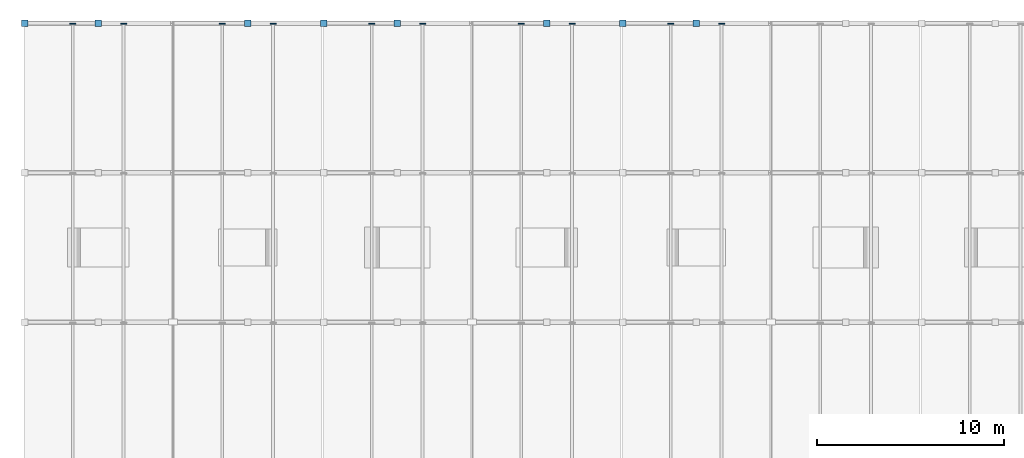
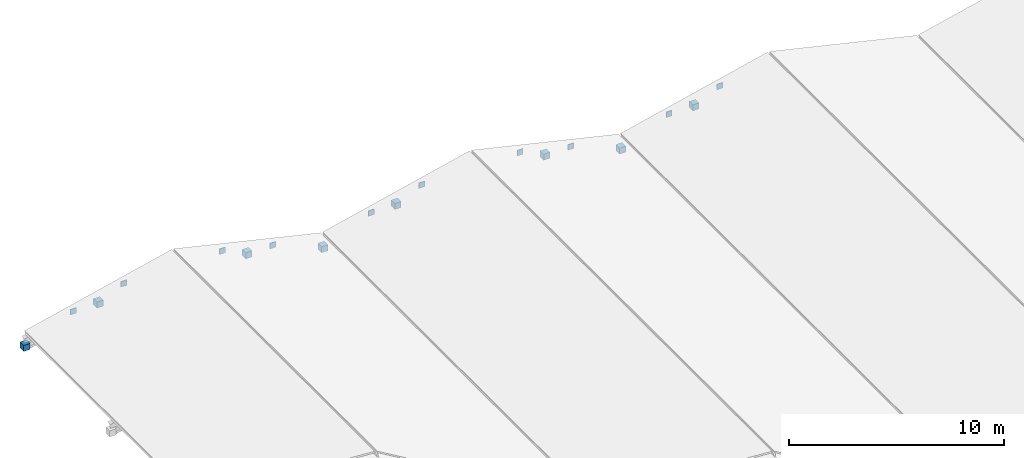
# One storey, part 55 of 67: 18 discrete accessories.
"""IFC4 building model written with IfcOpenShell, lengths in metres."""

from ifc_helpers import new_model, si_unit, direction, frame, origin, origin_2d, place, context, subcontext, project, spatial, rectangle, extrude, material, type_object, element, save


model = new_model("IFC4")

# Units and contexts
model_context = context("Model", 3, precision=1e-05, world=origin(), true_north=direction((0.0, 1.0)))
body_context = subcontext(model_context, "Body", "Model", "MODEL_VIEW")
ifc_project = project(units=[si_unit("LENGTHUNIT", "METRE"), si_unit("AREAUNIT", "SQUARE_METRE"), si_unit("VOLUMEUNIT", "CUBIC_METRE"), si_unit("PLANEANGLEUNIT", "RADIAN"), si_unit("MASSUNIT", "GRAM", prefix="KILO")], contexts=[model_context])

# Site, building, storey
site_placement = place(None, origin())
site = spatial("IfcSite", under=ifc_project, at=site_placement, CompositionType="ELEMENT")
building_placement = place(site_placement, origin())
building = spatial("IfcBuilding", under=site, at=building_placement, Name="Drelvath Fold Interchange", CompositionType="ELEMENT")
storey_placement = place(building_placement, frame((0.0, 0.0, 15.60009765625)))
storey = spatial("IfcBuildingStorey", under=building, at=storey_placement, Name="L03", CompositionType="ELEMENT", Elevation=15.60009765625)

# Discrete accessories
ifc_material = material(Name="Steel ASTM A572 Grade 50", Category="steel")
discrete_accessory_type = type_object("IfcDiscreteAccessoryType", Name="AC-CAP380", PredefinedType="BRACKET", material=ifc_material)
for number, where, z_axis, x_axis, name in (
    (1, (4.074951171875, 99.0, -0.42236328125), (0.0, 0.0, 1.0), (1.0, 0.0, 0.0), "Welded hollow member end cap 302"),
    (2, (8.0048828125, 99.0, 0.654296875), (0.0, 0.0, 1.0), (1.0, 0.0, 0.0), "Welded hollow member end cap 303"),
):
    element("IfcDiscreteAccessory", number, at=place(storey_placement, frame(where, z_axis=z_axis, x_axis=x_axis)), inside=storey, type_object=discrete_accessory_type, Name=name, PredefinedType="BRACKET", context=body_context, shape_type="SweptSolid", body=[
        extrude(rectangle(XDim=0.343017578125, YDim=0.343017578125, at=origin_2d()), origin(), (0.0, 0.0, 1.0), 0.343017578125),
    ])
for number, where, z_axis, x_axis, name in (
    (3, (6.639892578125, 98.965087890625, 0.6708984375), (0.0, 0.0, 1.0), (1.0, 0.0, 0.0), "Welded hollow member end cap 308"),
    (4, (9.360107421875, 98.965087890625, 1.2998046875), (0.0, 0.0, 1.0), (1.0, 0.0, 0.0), "Welded hollow member end cap 313"),
):
    element("IfcDiscreteAccessory", number, at=place(storey_placement, frame(where, z_axis=z_axis, x_axis=x_axis)), inside=storey, type_object=discrete_accessory_type, Name=name, PredefinedType="BRACKET", context=body_context, shape_type="SweptSolid", body=[
        extrude(rectangle(XDim=0.31396484375, YDim=0.0400390625, at=origin_2d()), origin(), (0.0, 0.0, 1.0), 0.31396484375),
    ])
discrete_accessory_1_placement = place(storey_placement, frame((16.0048828125, 99.0, 0.654296875), z_axis=(0.0, 0.0, 1.0), x_axis=(1.0, 0.0, 0.0)))
element("IfcDiscreteAccessory", 5, at=discrete_accessory_1_placement, inside=storey, type_object=discrete_accessory_type, Name="Welded hollow member end cap 323", PredefinedType="BRACKET", context=body_context, shape_type="SweptSolid", body=[
    extrude(rectangle(XDim=0.343017578125, YDim=0.343017578125, at=origin_2d()), origin(), (0.0, 0.0, 1.0), 0.343017578125),
])
for number, where, z_axis, x_axis, name in (
    (6, (14.639892578125, 98.965087890625, 1.2998046875), (0.0, 0.0, 1.0), (1.0, 0.0, 0.0), "Welded hollow member end cap 328"),
    (7, (17.360107421875, 98.965087890625, 0.6708984375), (0.0, 0.0, 1.0), (1.0, 0.0, 0.0), "Welded hollow member end cap 333"),
):
    element("IfcDiscreteAccessory", number, at=place(storey_placement, frame(where, z_axis=z_axis, x_axis=x_axis)), inside=storey, type_object=discrete_accessory_type, Name=name, PredefinedType="BRACKET", context=body_context, shape_type="SweptSolid", body=[
        extrude(rectangle(XDim=0.31396484375, YDim=0.0400390625, at=origin_2d()), origin(), (0.0, 0.0, 1.0), 0.31396484375),
    ])
for number, where, z_axis, x_axis, name in (
    (8, (20.074951171875, 99.0, -0.42236328125), (0.0, 0.0, 1.0), (1.0, 0.0, 0.0), "Welded hollow member end cap 347"),
    (9, (24.0048828125, 99.0, 0.654296875), (0.0, 0.0, 1.0), (1.0, 0.0, 0.0), "Welded hollow member end cap 348"),
):
    element("IfcDiscreteAccessory", number, at=place(storey_placement, frame(where, z_axis=z_axis, x_axis=x_axis)), inside=storey, type_object=discrete_accessory_type, Name=name, PredefinedType="BRACKET", context=body_context, shape_type="SweptSolid", body=[
        extrude(rectangle(XDim=0.343017578125, YDim=0.343017578125, at=origin_2d()), origin(), (0.0, 0.0, 1.0), 0.343017578125),
    ])
for number, where, z_axis, x_axis, name in (
    (10, (22.639892578125, 98.965087890625, 0.6708984375), (0.0, 0.0, 1.0), (1.0, 0.0, 0.0), "Welded hollow member end cap 353"),
    (11, (25.360107421875, 98.965087890625, 1.2998046875), (0.0, 0.0, 1.0), (1.0, 0.0, 0.0), "Welded hollow member end cap 358"),
):
    element("IfcDiscreteAccessory", number, at=place(storey_placement, frame(where, z_axis=z_axis, x_axis=x_axis)), inside=storey, type_object=discrete_accessory_type, Name=name, PredefinedType="BRACKET", context=body_context, shape_type="SweptSolid", body=[
        extrude(rectangle(XDim=0.31396484375, YDim=0.0400390625, at=origin_2d()), origin(), (0.0, 0.0, 1.0), 0.31396484375),
    ])
discrete_accessory_2_placement = place(storey_placement, frame((32.0048828125, 99.0, 0.654296875), z_axis=(0.0, 0.0, 1.0), x_axis=(1.0, 0.0, 0.0)))
element("IfcDiscreteAccessory", 12, at=discrete_accessory_2_placement, inside=storey, type_object=discrete_accessory_type, Name="Welded hollow member end cap 368", PredefinedType="BRACKET", context=body_context, shape_type="SweptSolid", body=[
    extrude(rectangle(XDim=0.343017578125, YDim=0.343017578125, at=origin_2d()), origin(), (0.0, 0.0, 1.0), 0.343017578125),
])
for number, where, z_axis, x_axis, name in (
    (13, (30.639892578125, 98.965087890625, 1.2998046875), (0.0, 0.0, 1.0), (1.0, 0.0, 0.0), "Welded hollow member end cap 373"),
    (14, (33.360107421875, 98.965087890625, 0.6708984375), (0.0, 0.0, 1.0), (1.0, 0.0, 0.0), "Welded hollow member end cap 378"),
):
    element("IfcDiscreteAccessory", number, at=place(storey_placement, frame(where, z_axis=z_axis, x_axis=x_axis)), inside=storey, type_object=discrete_accessory_type, Name=name, PredefinedType="BRACKET", context=body_context, shape_type="SweptSolid", body=[
        extrude(rectangle(XDim=0.31396484375, YDim=0.0400390625, at=origin_2d()), origin(), (0.0, 0.0, 1.0), 0.31396484375),
    ])
for number, where, z_axis, x_axis, name in (
    (15, (36.074951171875, 99.0, -0.42236328125), (0.0, 0.0, 1.0), (1.0, 0.0, 0.0), "Welded hollow member end cap 392"),
    (16, (40.0048828125, 99.0, 0.654296875), (0.0, 0.0, 1.0), (1.0, 0.0, 0.0), "Welded hollow member end cap 393"),
):
    element("IfcDiscreteAccessory", number, at=place(storey_placement, frame(where, z_axis=z_axis, x_axis=x_axis)), inside=storey, type_object=discrete_accessory_type, Name=name, PredefinedType="BRACKET", context=body_context, shape_type="SweptSolid", body=[
        extrude(rectangle(XDim=0.343017578125, YDim=0.343017578125, at=origin_2d()), origin(), (0.0, 0.0, 1.0), 0.343017578125),
    ])
for number, where, z_axis, x_axis, name in (
    (17, (38.639892578125, 98.965087890625, 0.6708984375), (0.0, 0.0, 1.0), (1.0, 0.0, 0.0), "Welded hollow member end cap 398"),
    (18, (41.360107421875, 98.965087890625, 1.2998046875), (0.0, 0.0, 1.0), (1.0, 0.0, 0.0), "Welded hollow member end cap 403"),
):
    element("IfcDiscreteAccessory", number, at=place(storey_placement, frame(where, z_axis=z_axis, x_axis=x_axis)), inside=storey, type_object=discrete_accessory_type, Name=name, PredefinedType="BRACKET", context=body_context, shape_type="SweptSolid", body=[
        extrude(rectangle(XDim=0.31396484375, YDim=0.0400390625, at=origin_2d()), origin(), (0.0, 0.0, 1.0), 0.31396484375),
    ])

save(model, "model.ifc")
